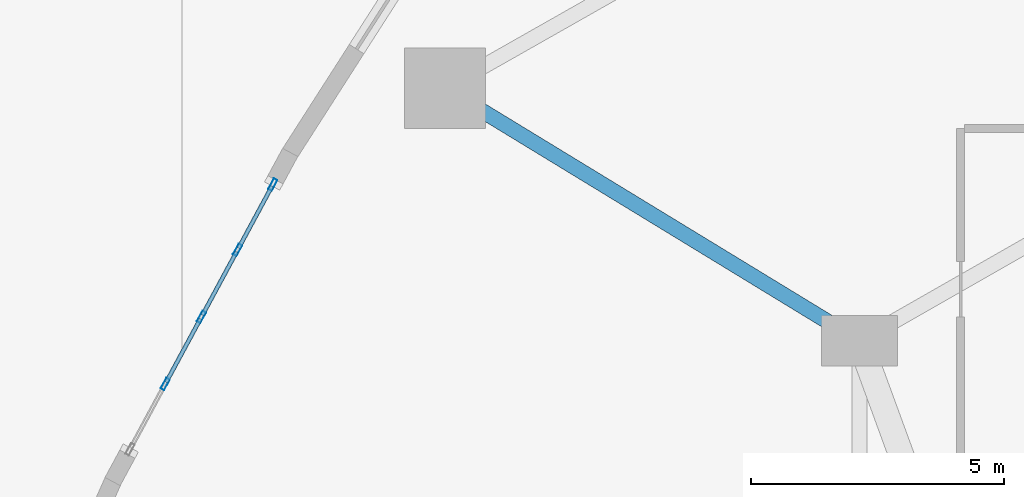
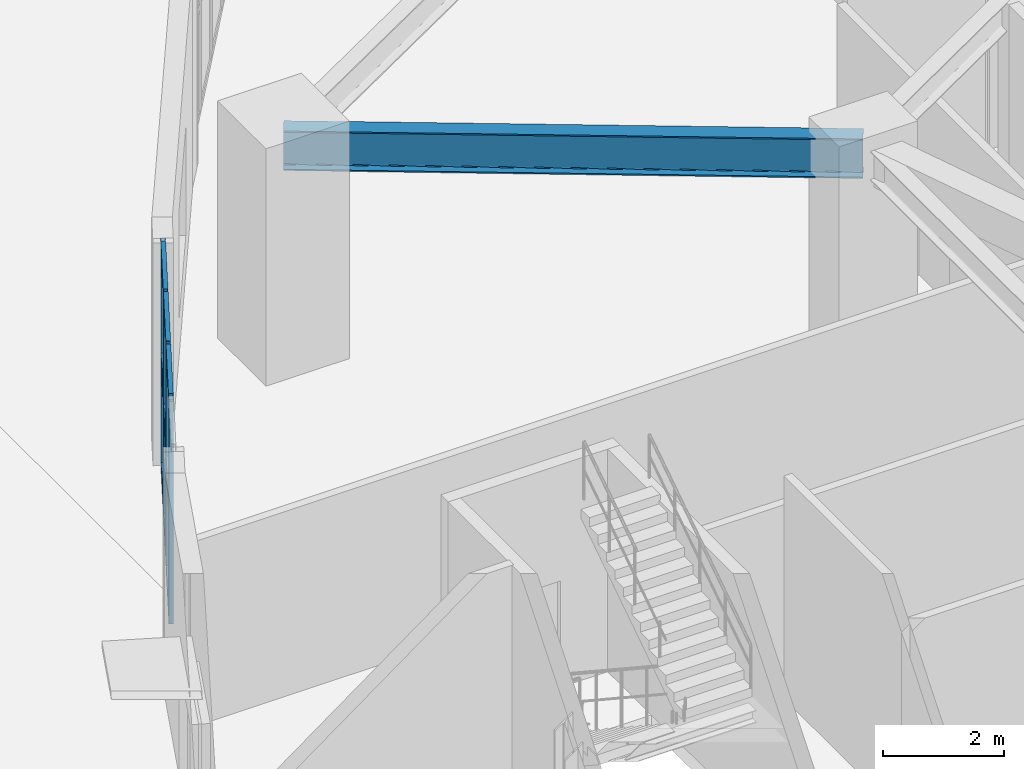
# One storey, part 10 of 32: 13 members, 1 beam, 1 element without a shape of its own.
"""IFC4 building model written with IfcOpenShell, lengths in metres."""

from ifc_helpers import new_model, si_unit, direction, frame, origin, origin_2d, place, context, subcontext, project, spatial, hollow_rectangle, i_section, extrude, material, layer, layer_set, material_profile, profile_set, type_object, element, aggregate, save


model = new_model("IFC4")

# Units and contexts
model_context = context("Model", 3, precision=1e-05, world=origin(), true_north=direction((0.0, 1.0)))
body_context = subcontext(model_context, "Body", "Model", "MODEL_VIEW")
ifc_project = project(units=[si_unit("LENGTHUNIT", "METRE"), si_unit("AREAUNIT", "SQUARE_METRE"), si_unit("VOLUMEUNIT", "CUBIC_METRE"), si_unit("PLANEANGLEUNIT", "RADIAN"), si_unit("MASSUNIT", "GRAM", prefix="KILO")], contexts=[model_context])

# Site, building, storey
site_placement = place(None, origin())
site = spatial("IfcSite", under=ifc_project, at=site_placement, CompositionType="ELEMENT")
building_placement = place(site_placement, origin())
building = spatial("IfcBuilding", under=site, at=building_placement, Name="Miruveldt Soraemaru", CompositionType="ELEMENT")
storey_placement = place(building_placement, origin())
storey = spatial("IfcBuildingStorey", under=building, at=storey_placement, Name="L01", CompositionType="ELEMENT", Elevation=0.0)

# Beam
ifc_material_1 = material(Name="Steel S460 (460 MPa)", Category="steel")
ifc_material_profile_1 = material_profile(ifc_material_1, i_section(OverallWidth=0.300048828125, OverallDepth=0.800048828125, WebThickness=0.013916015625, FlangeThickness=0.02587890625, FilletRadius=0.028076171875, at=origin_2d()), Name="Steel S460 (460 MPa)", Category="steel")
ifc_profile_set_1 = profile_set([ifc_material_profile_1], Name="Steel S460 (460 MPa)")
beam_type = type_object("IfcBeamType", Name="BM-ST-H800", PredefinedType="BEAM", material=ifc_profile_set_1)
beam_placement = place(storey_placement, frame((31.39990234375, 50.39990234375, 4.10009765625), z_axis=(-0.853794797843, 0.520609684098, 0.0), x_axis=(-0.520609684098, -0.853794797843, 0.0)))
element("IfcBeam", 1, at=beam_placement, inside=storey, type_object=beam_type, Name="L01 Podium Radial Girder 6", PredefinedType="BEAM", context=body_context, shape_type="SweptSolid", body=[
    extrude(i_section(OverallWidth=0.300048828125, OverallDepth=0.800048828125, WebThickness=0.013916015625, FlangeThickness=0.02587890625, FilletRadius=0.028076171875, at=origin_2d()), origin(), (0.0, 0.0, 1.0), 9.60400390625),
])

# Curtain wall, members
ifc_material_2 = material(Name="Anodised aluminium EN AW-6063 T6", Category="aluminium")
ifc_layer = layer(ifc_material_2, 0.239990234375, Name="Anodised aluminium EN AW-6063 T6", Category="aluminium")
ifc_layer_set = layer_set([ifc_layer], Name="Anodised aluminium EN AW-6063 T6")
curtain_wall_type = type_object("IfcCurtainWallType", Name="CW-SYS-1", PredefinedType="USERDEFINED", material=ifc_layer_set)
curtain_wall_placement = place(storey_placement, origin())
curtain_wall = element("IfcCurtainWall", 2, at=curtain_wall_placement, inside=storey, type_object=curtain_wall_type, Name="L01 Curtain Wall Bay 11", ObjectType="STOREFRONT", PredefinedType="USERDEFINED")
ifc_material_profile_2 = material_profile(ifc_material_2, hollow_rectangle(XDim=0.080078125, YDim=0.239990234375, WallThickness=0.0048828125, at=origin_2d()), Name="Anodised aluminium EN AW-6063 T6", Category="aluminium")
ifc_profile_set_2 = profile_set([ifc_material_profile_2], Name="Anodised aluminium EN AW-6063 T6")
member_type_1 = type_object("IfcMemberType", Name="CWM-1", PredefinedType="MULLION", material=ifc_profile_set_2)
member_1_placement = place(storey_placement, frame((19.794921875, 53.490966796875, 0.0), z_axis=(0.0, 0.0, 1.0), x_axis=(0.880012047341, -0.474951362284, 0.0)))
member_1 = element("IfcMember", 3, at=member_1_placement, type_object=member_type_1, Name="CW-1 mullion 1", PredefinedType="MULLION", context=body_context, shape_type="SweptSolid", body=[
    extrude(hollow_rectangle(XDim=0.080078125, YDim=0.239990234375, WallThickness=0.0048828125, at=origin_2d()), origin(), (0.0, 0.0, 1.0), 4.5),
])
member_2_placement = place(storey_placement, frame((19.09814453125, 52.199951171875, 0.0), z_axis=(0.0, 0.0, 1.0), x_axis=(0.880012047341, -0.474951362284, 0.0)))
member_2 = element("IfcMember", 4, at=member_2_placement, type_object=member_type_1, Name="CW-1 mullion 2", PredefinedType="MULLION", context=body_context, shape_type="SweptSolid", body=[
    extrude(hollow_rectangle(XDim=0.080078125, YDim=0.239990234375, WallThickness=0.0048828125, at=origin_2d()), origin(), (0.0, 0.0, 1.0), 4.5),
])
member_3_placement = place(storey_placement, frame((18.382568359375, 50.873779296875, 0.0), z_axis=(0.0, 0.0, 1.0), x_axis=(0.880012047341, -0.474951362284, 0.0)))
member_3 = element("IfcMember", 5, at=member_3_placement, type_object=member_type_1, Name="CW-1 mullion 3", PredefinedType="MULLION", context=body_context, shape_type="SweptSolid", body=[
    extrude(hollow_rectangle(XDim=0.080078125, YDim=0.239990234375, WallThickness=0.0048828125, at=origin_2d()), origin(), (0.0, 0.0, 1.0), 4.5),
])
member_4_placement = place(storey_placement, frame((17.666748046875, 49.547607421875, 0.0), z_axis=(0.0, 0.0, 1.0), x_axis=(0.880012047341, -0.474951362284, 0.0)))
member_4 = element("IfcMember", 6, at=member_4_placement, type_object=member_type_1, Name="CW-1 mullion 4", PredefinedType="MULLION", context=body_context, shape_type="SweptSolid", body=[
    extrude(hollow_rectangle(XDim=0.080078125, YDim=0.239990234375, WallThickness=0.0048828125, at=origin_2d()), origin(), (0.0, 0.0, 1.0), 4.5),
])
ifc_material_profile_3 = material_profile(ifc_material_2, hollow_rectangle(XDim=0.080078125, YDim=0.179931640625, WallThickness=0.00390625, at=origin_2d()), Name="Anodised aluminium EN AW-6063 T6", Category="aluminium")
ifc_profile_set_3 = profile_set([ifc_material_profile_3], Name="Anodised aluminium EN AW-6063 T6")
member_type_2 = type_object("IfcMemberType", Name="CWT-1", PredefinedType="USERDEFINED", material=ifc_profile_set_3)
member_5_placement = place(storey_placement, frame((19.776123046875, 53.455810546875, 0.0400390625), z_axis=(-0.475012647197, -0.879978968501, 0.0), x_axis=(0.879978968501, -0.475012647197, 0.0)))
member_5 = element("IfcMember", 7, at=member_5_placement, type_object=member_type_2, Name="CW-1 transom 1.1", ObjectType="TRANSOM", PredefinedType="USERDEFINED", context=body_context, shape_type="SweptSolid", body=[
    extrude(hollow_rectangle(XDim=0.080078125, YDim=0.179931640625, WallThickness=0.00390625, at=origin_2d()), origin(), (0.0, 0.0, 1.0), 1.38720703125),
])
member_6_placement = place(storey_placement, frame((19.776123046875, 53.455810546875, 2.25), z_axis=(-0.475012647197, -0.879978968501, 0.0), x_axis=(0.879978968501, -0.475012647197, 0.0)))
member_6 = element("IfcMember", 8, at=member_6_placement, type_object=member_type_2, Name="CW-1 transom 1.2", ObjectType="TRANSOM", PredefinedType="USERDEFINED", context=body_context, shape_type="SweptSolid", body=[
    extrude(hollow_rectangle(XDim=0.080078125, YDim=0.179931640625, WallThickness=0.00390625, at=origin_2d()), origin(), (0.0, 0.0, 1.0), 1.38720703125),
])
member_7_placement = place(storey_placement, frame((19.776123046875, 53.455810546875, 4.4599609375), z_axis=(-0.475012647197, -0.879978968501, 0.0), x_axis=(0.879978968501, -0.475012647197, 0.0)))
member_7 = element("IfcMember", 9, at=member_7_placement, type_object=member_type_2, Name="CW-1 transom 1.3", ObjectType="TRANSOM", PredefinedType="USERDEFINED", context=body_context, shape_type="SweptSolid", body=[
    extrude(hollow_rectangle(XDim=0.080078125, YDim=0.179931640625, WallThickness=0.00390625, at=origin_2d()), origin(), (0.0, 0.0, 1.0), 1.38720703125),
])
member_8_placement = place(storey_placement, frame((19.079345703125, 52.164794921875, 0.0400390625), z_axis=(-0.474915776861, -0.880031252223, 0.0), x_axis=(0.880031252223, -0.474915776861, 0.0)))
member_8 = element("IfcMember", 10, at=member_8_placement, type_object=member_type_2, Name="CW-1 transom 2.1", ObjectType="TRANSOM", PredefinedType="USERDEFINED", context=body_context, shape_type="SweptSolid", body=[
    extrude(hollow_rectangle(XDim=0.080078125, YDim=0.179931640625, WallThickness=0.00390625, at=origin_2d()), origin(), (0.0, 0.0, 1.0), 1.427001953125),
])
member_9_placement = place(storey_placement, frame((19.079345703125, 52.164794921875, 2.25), z_axis=(-0.474915776861, -0.880031252223, 0.0), x_axis=(0.880031252223, -0.474915776861, 0.0)))
member_9 = element("IfcMember", 11, at=member_9_placement, type_object=member_type_2, Name="CW-1 transom 2.2", ObjectType="TRANSOM", PredefinedType="USERDEFINED", context=body_context, shape_type="SweptSolid", body=[
    extrude(hollow_rectangle(XDim=0.080078125, YDim=0.179931640625, WallThickness=0.00390625, at=origin_2d()), origin(), (0.0, 0.0, 1.0), 1.427001953125),
])
member_10_placement = place(storey_placement, frame((19.079345703125, 52.164794921875, 4.4599609375), z_axis=(-0.474915776861, -0.880031252223, 0.0), x_axis=(0.880031252223, -0.474915776861, 0.0)))
member_10 = element("IfcMember", 12, at=member_10_placement, type_object=member_type_2, Name="CW-1 transom 2.3", ObjectType="TRANSOM", PredefinedType="USERDEFINED", context=body_context, shape_type="SweptSolid", body=[
    extrude(hollow_rectangle(XDim=0.080078125, YDim=0.179931640625, WallThickness=0.00390625, at=origin_2d()), origin(), (0.0, 0.0, 1.0), 1.427001953125),
])
member_11_placement = place(storey_placement, frame((18.363525390625, 50.838623046875, 0.0400390625), z_axis=(-0.474915776861, -0.880031252223, 0.0), x_axis=(0.880031252223, -0.474915776861, 0.0)))
member_11 = element("IfcMember", 13, at=member_11_placement, type_object=member_type_2, Name="CW-1 transom 3.1", ObjectType="TRANSOM", PredefinedType="USERDEFINED", context=body_context, shape_type="SweptSolid", body=[
    extrude(hollow_rectangle(XDim=0.080078125, YDim=0.179931640625, WallThickness=0.00390625, at=origin_2d()), origin(), (0.0, 0.0, 1.0), 1.427001953125),
])
member_12_placement = place(storey_placement, frame((18.363525390625, 50.838623046875, 2.25), z_axis=(-0.474915776861, -0.880031252223, 0.0), x_axis=(0.880031252223, -0.474915776861, 0.0)))
member_12 = element("IfcMember", 14, at=member_12_placement, type_object=member_type_2, Name="CW-1 transom 3.2", ObjectType="TRANSOM", PredefinedType="USERDEFINED", context=body_context, shape_type="SweptSolid", body=[
    extrude(hollow_rectangle(XDim=0.080078125, YDim=0.179931640625, WallThickness=0.00390625, at=origin_2d()), origin(), (0.0, 0.0, 1.0), 1.427001953125),
])
member_13_placement = place(storey_placement, frame((18.363525390625, 50.838623046875, 4.4599609375), z_axis=(-0.474915776861, -0.880031252223, 0.0), x_axis=(0.880031252223, -0.474915776861, 0.0)))
member_13 = element("IfcMember", 15, at=member_13_placement, type_object=member_type_2, Name="CW-1 transom 3.3", ObjectType="TRANSOM", PredefinedType="USERDEFINED", context=body_context, shape_type="SweptSolid", body=[
    extrude(hollow_rectangle(XDim=0.080078125, YDim=0.179931640625, WallThickness=0.00390625, at=origin_2d()), origin(), (0.0, 0.0, 1.0), 1.427001953125),
])
aggregate(curtain_wall, [member_1, member_2, member_3, member_4, member_5, member_6, member_7, member_8, member_9, member_10, member_11, member_12, member_13])

save(model, "model.ifc")
